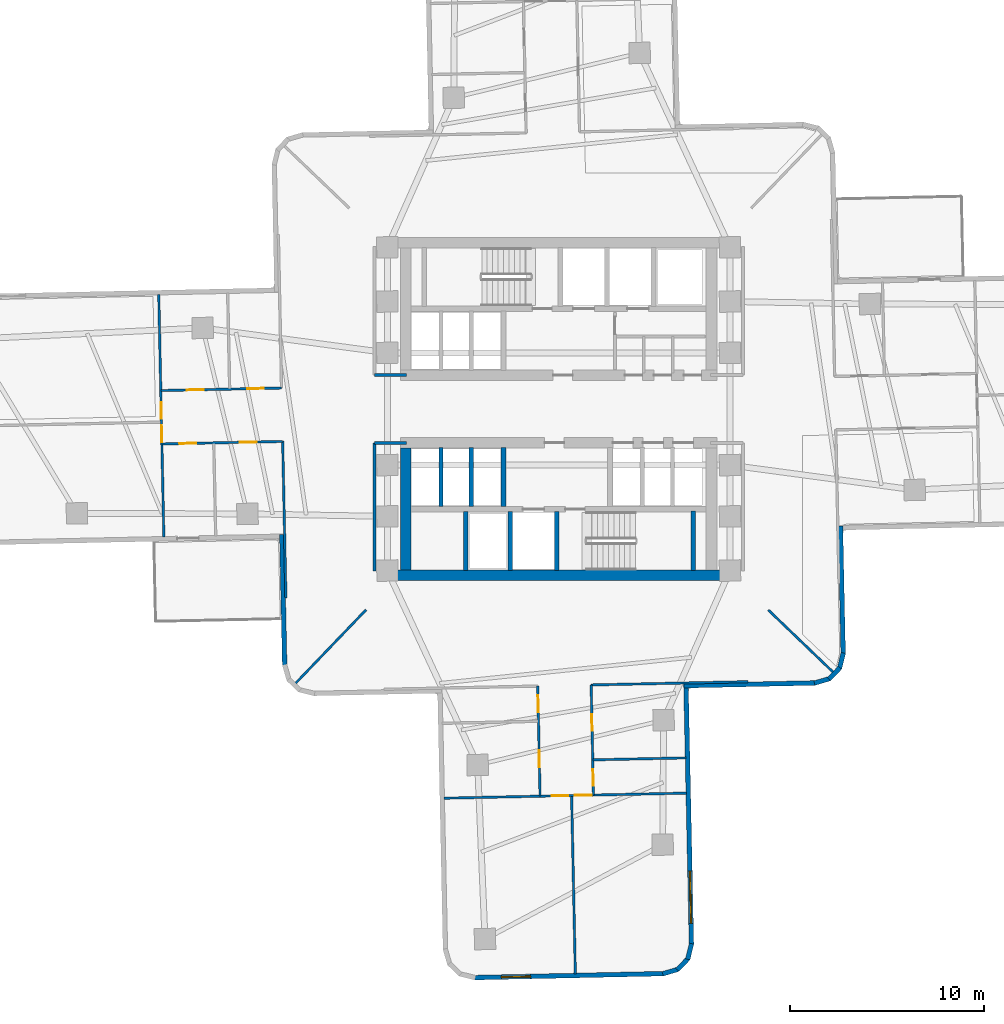
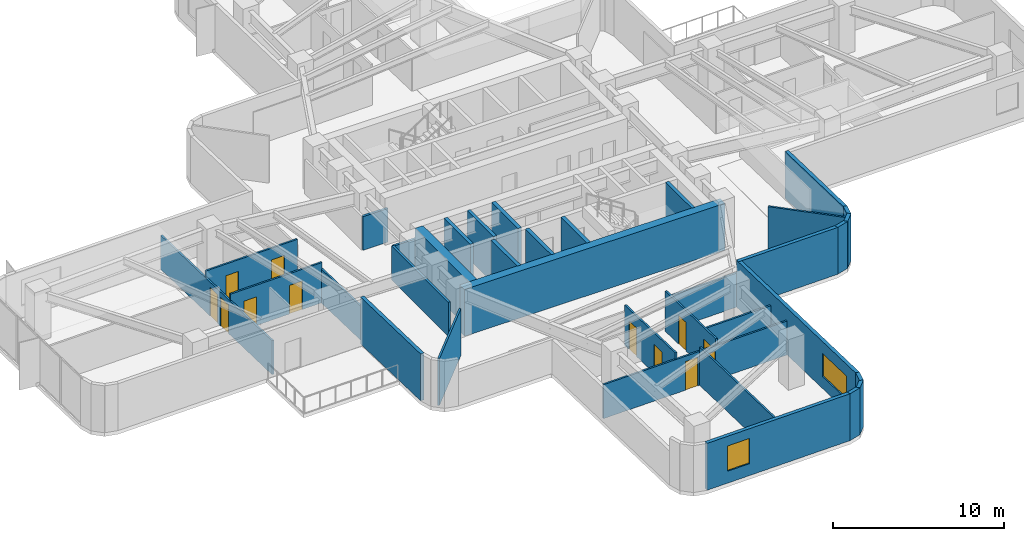
# One storey, part 8 of 15: 35 walls, 12 doors, 2 windows, 14 openings.
"""IFC4 building model written with IfcOpenShell, lengths in metres."""

from ifc_helpers import new_model, si_unit, direction, frame, frame_2d, origin, place, context, subcontext, project, spatial, rectangle, extrude, material, layer, layer_set, type_object, element, fill, save


model = new_model("IFC4")

# Units and contexts
model_context = context("Model", 3, precision=1e-05, world=origin(), true_north=direction((0.0, 1.0)))
body_context = subcontext(model_context, "Body", "Model", "MODEL_VIEW")
ifc_project = project(units=[si_unit("LENGTHUNIT", "METRE"), si_unit("AREAUNIT", "SQUARE_METRE"), si_unit("VOLUMEUNIT", "CUBIC_METRE"), si_unit("PLANEANGLEUNIT", "RADIAN"), si_unit("MASSUNIT", "GRAM", prefix="KILO")], contexts=[model_context])

# Site, building, storey
site_placement = place(None, origin())
site = spatial("IfcSite", under=ifc_project, at=site_placement, CompositionType="ELEMENT")
building_placement = place(site_placement, origin())
building = spatial("IfcBuilding", under=site, at=building_placement, Name="Solmarez Civic Tower", CompositionType="ELEMENT")
storey_placement = place(building_placement, frame((0.0, 0.0, 38.8798828125)))
storey = spatial("IfcBuildingStorey", under=building, at=storey_placement, Name="L09", CompositionType="ELEMENT", Elevation=38.8798828125)

# Walls
ifc_material_1 = material(Name="Concrete C60/75", Category="concrete")
ifc_layer_1 = layer(ifc_material_1, 0.550048828125)
ifc_layer_set_1 = layer_set([ifc_layer_1], Name="Concrete C60/75")
wall_type_1 = type_object("IfcWallType", Name="WALL-CORE-550", PredefinedType="SHEAR", material=ifc_layer_set_1)
wall_1_placement = place(storey_placement, frame((8.780029296875, -8.5849609375, 0.0), z_axis=(0.0, 0.0, 1.0), x_axis=(-1.0, 0.0, 0.0)))
element("IfcWall", 1, at=wall_1_placement, inside=storey, type_object=wall_type_1, Name="L09 Split-Core Structural Wall SCW-S-L09", PredefinedType="SHEAR", context=body_context, shape_type="SweptSolid", body=[
    extrude(rectangle(XDim=17.56005859375, YDim=0.550048828125, at=frame_2d((8.780029296875, 0.0))), origin(), (0.0, 0.0, 1.0), 3.340087890625),
])
wall_2_placement = place(storey_placement, frame((-7.89501953125, -8.31005859375, 0.0), z_axis=(0.0, 0.0, 1.0), x_axis=(0.0, 1.0, 0.0)))
element("IfcWall", 2, at=wall_2_placement, inside=storey, type_object=wall_type_1, Name="L09 Split-Core Structural Wall SCW-W-L09", PredefinedType="SHEAR", context=body_context, shape_type="SweptSolid", body=[
    extrude(rectangle(XDim=6.28515625, YDim=0.550048828125, at=frame_2d((3.142578125, 0.0))), origin(), (0.0, 0.0, 1.0), 3.340087890625),
])
ifc_material_2 = material(Name="Precast concrete C40/50", Category="concrete")
ifc_layer_2 = layer(ifc_material_2, 0.239990234375)
ifc_layer_set_2 = layer_set([ifc_layer_2], Name="Precast concrete C40/50")
wall_type_2 = type_object("IfcWallType", Name="WALL-EXT-240", PredefinedType="SOLIDWALL", material=ifc_layer_set_2)
wall_3_placement = place(storey_placement, frame((14.55908203125, -6.041015625, 0.0), z_axis=(0.0, 0.0, 1.0), x_axis=(0.021149327571, -0.999776327957, 0.0)))
element("IfcWall", 3, at=wall_3_placement, inside=storey, type_object=wall_type_2, Name="L09 Exterior Precast Wall 49", PredefinedType="SOLIDWALL", context=body_context, shape_type="SweptSolid", body=[
    extrude(rectangle(XDim=6.614501953125, YDim=0.239990234375, at=frame_2d((3.30712890625, 0.0))), origin(), (0.0, 0.0, 1.0), 3.340087890625),
])
wall_4_placement = place(storey_placement, frame((14.7041015625, -12.60498046875, 0.0), z_axis=(0.0, 0.0, 1.0), x_axis=(-0.238588013371, -0.971120878097, 0.0)))
element("IfcWall", 4, at=wall_4_placement, inside=storey, type_object=wall_type_2, Name="L09 Exterior Precast Wall 50", PredefinedType="SOLIDWALL", context=body_context, shape_type="SweptSolid", body=[
    extrude(rectangle(XDim=0.829833984375, YDim=0.239990234375, at=frame_2d((0.4150390625, 0.0))), origin(), (0.0, 0.0, 1.0), 3.340087890625),
])
wall_5_placement = place(storey_placement, frame((14.529052734375, -13.368896484375, 0.0), z_axis=(0.0, 0.0, 1.0), x_axis=(-0.692094379202, -0.721807017337, 0.0)))
element("IfcWall", 5, at=wall_5_placement, inside=storey, type_object=wall_type_2, Name="L09 Exterior Precast Wall 51", PredefinedType="SOLIDWALL", context=body_context, shape_type="SweptSolid", body=[
    extrude(rectangle(XDim=0.8134765625, YDim=0.239990234375, at=frame_2d((0.40673828125, 0.0))), origin(), (0.0, 0.0, 1.0), 3.340087890625),
])
wall_6_placement = place(storey_placement, frame((14.007080078125, -13.930908203125, 0.0), z_axis=(0.0, 0.0, 1.0), x_axis=(-0.960102033401, -0.279649933772, 0.0)))
element("IfcWall", 6, at=wall_6_placement, inside=storey, type_object=wall_type_2, Name="L09 Exterior Precast Wall 52", PredefinedType="SOLIDWALL", context=body_context, shape_type="SweptSolid", body=[
    extrude(rectangle(XDim=0.830322265625, YDim=0.239990234375, at=frame_2d((0.4150390625, 0.0))), origin(), (0.0, 0.0, 1.0), 3.340087890625),
])
wall_7_placement = place(storey_placement, frame((13.259033203125, -14.155029296875, 0.0), z_axis=(0.0, 0.0, 1.0), x_axis=(-0.999777124284, -0.021111649844, 0.0)))
element("IfcWall", 7, at=wall_7_placement, inside=storey, type_object=wall_type_2, Name="L09 Exterior Precast Wall 53", PredefinedType="SOLIDWALL", context=body_context, shape_type="SweptSolid", body=[
    extrude(rectangle(XDim=6.776611328125, YDim=0.239990234375, at=frame_2d((3.38818359375, 0.0))), origin(), (0.0, 0.0, 1.0), 3.340087890625),
])

# Wall, opening, window
wall_8_placement = place(storey_placement, frame((6.577880859375, -14.199951171875, 0.0), z_axis=(0.0, 0.0, 1.0), x_axis=(0.021016704444, -0.999779124674, 0.0)))
wall_8 = element("IfcWall", 8, at=wall_8_placement, inside=storey, type_object=wall_type_2, Name="L09 Exterior Precast Wall 56", PredefinedType="SOLIDWALL", context=body_context, shape_type="SweptSolid", body=[
    extrude(rectangle(XDim=13.47509765625, YDim=0.239990234375, at=frame_2d((6.737548828125, 0.0))), origin(), (0.0, 0.0, 1.0), 3.340087890625),
])
opening_1_placement = place(wall_8_placement, frame((9.675048828125, 0.0, 0.85009765625)))
opening_1 = element("IfcOpeningElement", 9, at=opening_1_placement, cuts=wall_8, Name="Opening W-09", PredefinedType="OPENING", context=body_context, shape_type="SweptSolid", body=[
    extrude(rectangle(XDim=2.699951171875, YDim=1.64990234375, at=frame_2d((1.35009765625, 0.824951171875))), frame((0.0, 0.1298828125, 0.0), z_axis=(0.0, -1.0, 0.0), x_axis=(1.0, 0.0, 0.0)), (0.0, 0.0, 1.0), 0.260009765625),
])
ifc_material_3 = material(Name="Solar Control Bronze-Tinted Insulating Glass", Category="glass")
window_type_1 = type_object("IfcWindowType", Name="WIN-2700X1650", PartitioningType="SINGLE_PANEL", PredefinedType="WINDOW", material=ifc_material_3)
window_1_placement = place(opening_1_placement, origin())
window_1 = element("IfcWindow", 10, at=window_1_placement, inside=storey, type_object=window_type_1, Name="L09 Exterior Facade Window 56", OverallHeight=1.64990234375, OverallWidth=2.699951171875, PartitioningType="SINGLE_PANEL", PredefinedType="WINDOW", context=body_context, shape_type="SweptSolid", body=[
    extrude(rectangle(XDim=2.699951171875, YDim=1.64990234375, at=frame_2d((1.35009765625, 0.824951171875))), frame((0.0, 0.030029296875, 0.0), z_axis=(0.0, -1.0, 0.0), x_axis=(1.0, 0.0, 0.0)), (0.0, 0.0, 1.0), 0.06005859375),
])
fill(opening_1, window_1)

# Walls
wall_9_placement = place(storey_placement, frame((6.865966796875, -27.623046875, 0.0), z_axis=(0.0, 0.0, 1.0), x_axis=(-0.238860968489, -0.971053776952, 0.0)))
element("IfcWall", 11, at=wall_9_placement, inside=storey, type_object=wall_type_2, Name="L09 Exterior Precast Wall 57", PredefinedType="SOLIDWALL", context=body_context, shape_type="SweptSolid", body=[
    extrude(rectangle(XDim=0.828857421875, YDim=0.239990234375, at=frame_2d((0.41455078125, 0.0))), origin(), (0.0, 0.0, 1.0), 3.340087890625),
])
wall_10_placement = place(storey_placement, frame((6.69091796875, -28.385986328125, 0.0), z_axis=(0.0, 0.0, 1.0), x_axis=(-0.690868229845, -0.722980697523, 0.0)))
element("IfcWall", 12, at=wall_10_placement, inside=storey, type_object=wall_type_2, Name="L09 Exterior Precast Wall 58", PredefinedType="SOLIDWALL", context=body_context, shape_type="SweptSolid", body=[
    extrude(rectangle(XDim=0.8134765625, YDim=0.239990234375, at=frame_2d((0.40673828125, 0.0))), origin(), (0.0, 0.0, 1.0), 3.340087890625),
])
wall_11_placement = place(storey_placement, frame((6.169921875, -28.948974609375, 0.0), z_axis=(0.0, 0.0, 1.0), x_axis=(-0.960564264415, -0.278058076541, 0.0)))
element("IfcWall", 13, at=wall_11_placement, inside=storey, type_object=wall_type_2, Name="L09 Exterior Precast Wall 59", PredefinedType="SOLIDWALL", context=body_context, shape_type="SweptSolid", body=[
    extrude(rectangle(XDim=0.83056640625, YDim=0.239990234375, at=frame_2d((0.415283203125, 0.0))), origin(), (0.0, 0.0, 1.0), 3.340087890625),
])

# Wall, opening, window
wall_12_placement = place(storey_placement, frame((5.4208984375, -29.172119140625, 0.0), z_axis=(0.0, 0.0, 1.0), x_axis=(-0.999778461458, -0.021048230433, 0.0)))
wall_12 = element("IfcWall", 14, at=wall_12_placement, inside=storey, type_object=wall_type_2, Name="L09 Exterior Precast Wall 60", PredefinedType="SOLIDWALL", context=body_context, shape_type="SweptSolid", body=[
    extrude(rectangle(XDim=9.778076171875, YDim=0.239990234375, at=frame_2d((4.88916015625, 0.0))), origin(), (0.0, 0.0, 1.0), 3.340087890625),
])
opening_2_placement = place(wall_12_placement, frame((6.876953125, 0.0, 0.85009765625)))
opening_2 = element("IfcOpeningElement", 15, at=opening_2_placement, cuts=wall_12, Name="Opening W-13", PredefinedType="OPENING", context=body_context, shape_type="SweptSolid", body=[
    extrude(rectangle(XDim=1.5, YDim=1.800048828125, at=frame_2d((0.75, 0.89990234375))), frame((0.0, 0.1298828125, 0.0), z_axis=(0.0, -1.0, 0.0), x_axis=(1.0, 0.0, 0.0)), (0.0, 0.0, 1.0), 0.260009765625),
])
window_type_2 = type_object("IfcWindowType", Name="WIN-1500X1800", PartitioningType="SINGLE_PANEL", PredefinedType="WINDOW", material=ifc_material_3)
window_2_placement = place(opening_2_placement, origin())
window_2 = element("IfcWindow", 16, at=window_2_placement, inside=storey, type_object=window_type_2, Name="L09 Exterior Facade Window 60", OverallHeight=1.800048828125, OverallWidth=1.5, PartitioningType="SINGLE_PANEL", PredefinedType="WINDOW", context=body_context, shape_type="SweptSolid", body=[
    extrude(rectangle(XDim=1.5, YDim=1.800048828125, at=frame_2d((0.75, 0.89990234375))), frame((0.0, 0.030029296875, 0.0), z_axis=(0.0, -1.0, 0.0), x_axis=(1.0, 0.0, 0.0)), (0.0, 0.0, 1.0), 0.06005859375),
])
fill(opening_2, window_2)

# Walls
wall_13_placement = place(storey_placement, frame((-14.155029296875, -13.259033203125, 0.0), z_axis=(0.0, 0.0, 1.0), x_axis=(-0.021111649844, 0.999777124284, 0.0)))
element("IfcWall", 17, at=wall_13_placement, inside=storey, type_object=wall_type_2, Name="L09 Exterior Precast Wall 71", PredefinedType="SOLIDWALL", context=body_context, shape_type="SweptSolid", body=[
    extrude(rectangle(XDim=6.776611328125, YDim=0.239990234375, at=frame_2d((3.38818359375, 0.0))), origin(), (0.0, 0.0, 1.0), 3.340087890625),
])
ifc_material_4 = material(Name="Gypsum Board Acoustic Steel-Stud Partition", Category="steel")
ifc_layer_3 = layer(ifc_material_4, 0.14990234375)
ifc_layer_set_3 = layer_set([ifc_layer_3], Name="Gypsum Board Acoustic Steel-Stud Partition")
wall_type_3 = type_object("IfcWallType", Name="WALL-INT-FIRE-150", PredefinedType="PARTITIONING", material=ifc_layer_set_3)
wall_14_placement = place(storey_placement, frame((-7.85009765625, 1.75, 0.0), z_axis=(0.0, 0.0, 1.0), x_axis=(-1.0, 0.0, 0.0)))
element("IfcWall", 18, at=wall_14_placement, inside=storey, type_object=wall_type_3, Name="L09 Interior Partition CHW-L09-WN3", PredefinedType="PARTITIONING", context=body_context, shape_type="SweptSolid", body=[
    extrude(rectangle(XDim=1.669921875, YDim=0.14990234375, at=frame_2d((0.8349609375, 0.0))), origin(), (0.0, 0.0, 1.0), 2.405029296875),
])
wall_15_placement = place(storey_placement, frame((-9.52001953125, -8.3798828125, 0.0), z_axis=(0.0, 0.0, 1.0), x_axis=(0.0, 1.0, 0.0)))
element("IfcWall", 19, at=wall_15_placement, inside=storey, type_object=wall_type_3, Name="L09 Interior Partition CHW-L09-WS1", PredefinedType="PARTITIONING", context=body_context, shape_type="SweptSolid", body=[
    extrude(rectangle(XDim=6.6298828125, YDim=0.14990234375, at=frame_2d((3.31494140625, 0.0))), origin(), (0.0, 0.0, 1.0), 2.421142578125),
])
wall_16_placement = place(storey_placement, frame((-7.85009765625, -1.75, 0.0), z_axis=(0.0, 0.0, 1.0), x_axis=(-1.0, 0.0, 0.0)))
element("IfcWall", 20, at=wall_16_placement, inside=storey, type_object=wall_type_3, Name="L09 Interior Partition CHW-L09-WS3", PredefinedType="PARTITIONING", context=body_context, shape_type="SweptSolid", body=[
    extrude(rectangle(XDim=1.669921875, YDim=0.14990234375, at=frame_2d((0.8349609375, 0.0))), origin(), (0.0, 0.0, 1.0), 2.405029296875),
])
ifc_layer_4 = layer(ifc_material_4, 0.1201171875)
ifc_layer_set_4 = layer_set([ifc_layer_4], Name="Gypsum Board Acoustic Steel-Stud Partition")
wall_type_4 = type_object("IfcWallType", Name="WALL-INT-PART-120", PredefinedType="PARTITIONING", material=ifc_layer_set_4)
wall_17_placement = place(storey_placement, frame((-9.9541015625, -10.3798828125, 0.0), z_axis=(0.0, 0.0, 1.0), x_axis=(-0.692136602063, -0.721766530178, 0.0)))
element("IfcWall", 21, at=wall_17_placement, inside=storey, type_object=wall_type_4, Name="L09 Interior Partition PT-L09-QDIV-3", PredefinedType="PARTITIONING", context=body_context, shape_type="SweptSolid", body=[
    extrude(rectangle(XDim=5.2734375, YDim=0.1201171875, at=frame_2d((2.63671875, 0.0))), origin(), (0.0, 0.0, 1.0), 3.340087890625),
])
wall_18_placement = place(storey_placement, frame((10.823974609375, -10.3798828125, 0.0), z_axis=(0.0, 0.0, 1.0), x_axis=(0.721757981693, -0.692145516392, 0.0)))
element("IfcWall", 22, at=wall_18_placement, inside=storey, type_object=wall_type_4, Name="L09 Interior Partition PT-L09-QDIV-4", PredefinedType="PARTITIONING", context=body_context, shape_type="SweptSolid", body=[
    extrude(rectangle(XDim=4.658203125, YDim=0.1201171875, at=frame_2d((2.3291015625, 0.0))), origin(), (0.0, 0.0, 1.0), 3.340087890625),
])
wall_19_placement = place(storey_placement, frame((-14.258056640625, -1.6689453125, 0.0), z_axis=(0.0, 0.0, 1.0), x_axis=(0.020831948152, -0.999782991422, 0.0)))
element("IfcWall", 23, at=wall_19_placement, inside=storey, type_object=wall_type_4, Name="L09 Interior Partition PT-L09-W-EFL", PredefinedType="PARTITIONING", context=body_context, shape_type="SweptSolid", body=[
    extrude(rectangle(XDim=8.10986328125, YDim=0.1201171875, at=frame_2d((4.054931640625, 0.0))), origin(), (0.0, 0.0, 1.0), 2.421142578125),
])

# Wall, openings, doors
wall_20_placement = place(storey_placement, frame((-20.4970703125, -1.81005859375, 0.0), z_axis=(0.0, 0.0, 1.0), x_axis=(0.999779289494, 0.021008862393, 0.0)))
wall_20 = element("IfcWall", 24, at=wall_20_placement, inside=storey, type_object=wall_type_4, Name="L09 Interior Partition PT-L09-W-SL", PredefinedType="PARTITIONING", context=body_context, shape_type="SweptSolid", body=[
    extrude(rectangle(XDim=6.240478515625, YDim=0.1201171875, at=frame_2d((3.1201171875, 0.0))), origin(), (0.0, 0.0, 1.0), 2.869140625),
])
opening_3_placement = place(wall_20_placement, frame((4.030029296875, 0.0, 0.0)))
opening_3 = element("IfcOpeningElement", 25, at=opening_3_placement, cuts=wall_20, Name="Opening D-14", PredefinedType="OPENING", context=body_context, shape_type="SweptSolid", body=[
    extrude(rectangle(XDim=0.860107421875, YDim=2.0400390625, at=frame_2d((0.43017578125, 1.02001953125))), frame((0.0, 0.070068359375, 0.0), z_axis=(0.0, -1.0, 0.0), x_axis=(1.0, 0.0, 0.0)), (0.0, 0.0, 1.0), 0.14013671875),
])
opening_4_placement = place(wall_20_placement, frame((0.909912109375, 0.0, 0.0)))
opening_4 = element("IfcOpeningElement", 26, at=opening_4_placement, cuts=wall_20, Name="Opening D-14", PredefinedType="OPENING", context=body_context, shape_type="SweptSolid", body=[
    extrude(rectangle(XDim=0.860107421875, YDim=2.0400390625, at=frame_2d((0.43017578125, 1.02001953125))), frame((0.0, 0.070068359375, 0.0), z_axis=(0.0, -1.0, 0.0), x_axis=(1.0, 0.0, 0.0)), (0.0, 0.0, 1.0), 0.14013671875),
])
ifc_material_5 = material(Name="Timber Storage and Pantry Door", Category="wood")
door_type = type_object("IfcDoorType", Name="DOOR-INT-850", OperationType="NOTDEFINED", PredefinedType="DOOR", material=ifc_material_5)
door_1_placement = place(opening_3_placement, origin())
door_1 = element("IfcDoor", 27, at=door_1_placement, inside=storey, type_object=door_type, Name="L09 Delegates Sitting Lounge First West Door", OperationType="SINGLE_SWING_LEFT", OverallHeight=2.0400390625, OverallWidth=0.860107421875, PredefinedType="DOOR", context=body_context, shape_type="SweptSolid", body=[
    extrude(rectangle(XDim=0.860107421875, YDim=2.0400390625, at=frame_2d((0.43017578125, 1.02001953125))), frame((0.0, 0.02490234375, 0.0), z_axis=(0.0, -1.0, 0.0), x_axis=(1.0, 0.0, 0.0)), (0.0, 0.0, 1.0), 0.050048828125),
])
fill(opening_3, door_1)
door_2_placement = place(opening_4_placement, origin())
door_2 = element("IfcDoor", 28, at=door_2_placement, inside=storey, type_object=door_type, Name="L09 Public Reception Room Second West Door", OperationType="SINGLE_SWING_RIGHT", OverallHeight=2.0400390625, OverallWidth=0.860107421875, PredefinedType="DOOR", context=body_context, shape_type="SweptSolid", body=[
    extrude(rectangle(XDim=0.860107421875, YDim=2.0400390625, at=frame_2d((0.43017578125, 1.02001953125))), frame((0.0, 0.02490234375, 0.0), z_axis=(0.0, -1.0, 0.0), x_axis=(1.0, 0.0, 0.0)), (0.0, 0.0, 1.0), 0.050048828125),
])
fill(opening_4, door_2)

wall_21_placement = place(storey_placement, frame((-14.31591796875, 1.080078125, 0.0), z_axis=(0.0, 0.0, 1.0), x_axis=(-0.99978249617, -0.020855703122, 0.0)))
wall_21 = element("IfcWall", 29, at=wall_21_placement, inside=storey, type_object=wall_type_4, Name="L09 Interior Partition PT-L09-W-SR", PredefinedType="PARTITIONING", context=body_context, shape_type="SweptSolid", body=[
    extrude(rectangle(XDim=6.239501953125, YDim=0.1201171875, at=frame_2d((3.11962890625, 0.0))), origin(), (0.0, 0.0, 1.0), 2.869140625),
])
opening_5_placement = place(wall_21_placement, frame((0.909912109375, 0.0, 0.0)))
opening_5 = element("IfcOpeningElement", 30, at=opening_5_placement, cuts=wall_21, Name="Opening D-14", PredefinedType="OPENING", context=body_context, shape_type="SweptSolid", body=[
    extrude(rectangle(XDim=0.860107421875, YDim=2.0400390625, at=frame_2d((0.43017578125, 1.02001953125))), frame((0.0, 0.070068359375, 0.0), z_axis=(0.0, -1.0, 0.0), x_axis=(1.0, 0.0, 0.0)), (0.0, 0.0, 1.0), 0.14013671875),
])
opening_6_placement = place(wall_21_placement, frame((4.030029296875, 0.0, 0.0)))
opening_6 = element("IfcOpeningElement", 31, at=opening_6_placement, cuts=wall_21, Name="Opening D-14", PredefinedType="OPENING", context=body_context, shape_type="SweptSolid", body=[
    extrude(rectangle(XDim=0.860107421875, YDim=2.0400390625, at=frame_2d((0.43017578125, 1.02001953125))), frame((0.0, 0.070068359375, 0.0), z_axis=(0.0, -1.0, 0.0), x_axis=(1.0, 0.0, 0.0)), (0.0, 0.0, 1.0), 0.14013671875),
])
door_3_placement = place(opening_5_placement, origin())
door_3 = element("IfcDoor", 32, at=door_3_placement, inside=storey, type_object=door_type, Name="L09 Legislative Seminar Room Third West Door", OperationType="SINGLE_SWING_RIGHT", OverallHeight=2.0400390625, OverallWidth=0.860107421875, PredefinedType="DOOR", context=body_context, shape_type="SweptSolid", body=[
    extrude(rectangle(XDim=0.860107421875, YDim=2.0400390625, at=frame_2d((0.43017578125, 1.02001953125))), frame((0.0, 0.02490234375, 0.0), z_axis=(0.0, -1.0, 0.0), x_axis=(1.0, 0.0, 0.0)), (0.0, 0.0, 1.0), 0.050048828125),
])
fill(opening_5, door_3)
door_4_placement = place(opening_6_placement, origin())
door_4 = element("IfcDoor", 33, at=door_4_placement, inside=storey, type_object=door_type, Name="L09 Civic Training Classroom Fourth West Door", OperationType="SINGLE_SWING_LEFT", OverallHeight=2.0400390625, OverallWidth=0.860107421875, PredefinedType="DOOR", context=body_context, shape_type="SweptSolid", body=[
    extrude(rectangle(XDim=0.860107421875, YDim=2.0400390625, at=frame_2d((0.43017578125, 1.02001953125))), frame((0.0, 0.02490234375, 0.0), z_axis=(0.0, -1.0, 0.0), x_axis=(1.0, 0.0, 0.0)), (0.0, 0.0, 1.0), 0.050048828125),
])
fill(opening_6, door_4)

wall_22_placement = place(storey_placement, frame((-20.39599609375, -6.6240234375, 0.0), z_axis=(0.0, 0.0, 1.0), x_axis=(-0.020949931448, 0.999780526102, 0.0)))
wall_22 = element("IfcWall", 34, at=wall_22_placement, inside=storey, type_object=wall_type_4, Name="L09 Interior Partition PT-L09-W-END", PredefinedType="PARTITIONING", context=body_context, shape_type="SweptSolid", body=[
    extrude(rectangle(XDim=12.55078125, YDim=0.1201171875, at=frame_2d((6.275390625, 0.0))), origin(), (0.0, 0.0, 1.0), 2.421142578125),
])
opening_7_placement = place(wall_22_placement, frame((6.114990234375, 0.0, 0.0)))
opening_7 = element("IfcOpeningElement", 35, at=opening_7_placement, cuts=wall_22, Name="Opening D-14", PredefinedType="OPENING", context=body_context, shape_type="SweptSolid", body=[
    extrude(rectangle(XDim=0.860107421875, YDim=2.0400390625, at=frame_2d((0.43017578125, 1.02001953125))), frame((0.0, 0.070068359375, 0.0), z_axis=(0.0, -1.0, 0.0), x_axis=(1.0, 0.0, 0.0)), (0.0, 0.0, 1.0), 0.14013671875),
])
opening_8_placement = place(wall_22_placement, frame((4.9150390625, 0.0, 0.0)))
opening_8 = element("IfcOpeningElement", 36, at=opening_8_placement, cuts=wall_22, Name="Opening D-14", PredefinedType="OPENING", context=body_context, shape_type="SweptSolid", body=[
    extrude(rectangle(XDim=0.860107421875, YDim=2.0400390625, at=frame_2d((0.43017578125, 1.02001953125))), frame((0.0, 0.070068359375, 0.0), z_axis=(0.0, -1.0, 0.0), x_axis=(1.0, 0.0, 0.0)), (0.0, 0.0, 1.0), 0.14013671875),
])
door_5_placement = place(opening_7_placement, origin())
door_5 = element("IfcDoor", 37, at=door_5_placement, inside=storey, type_object=door_type, Name="L09 Civic Training Classroom Sixth West Door", OperationType="SINGLE_SWING_RIGHT", OverallHeight=2.0400390625, OverallWidth=0.860107421875, PredefinedType="DOOR", context=body_context, shape_type="SweptSolid", body=[
    extrude(rectangle(XDim=0.860107421875, YDim=2.0400390625, at=frame_2d((0.43017578125, 1.02001953125))), frame((0.0, 0.02490234375, 0.0), z_axis=(0.0, -1.0, 0.0), x_axis=(1.0, 0.0, 0.0)), (0.0, 0.0, 1.0), 0.050048828125),
])
fill(opening_7, door_5)
door_6_placement = place(opening_8_placement, origin())
door_6 = element("IfcDoor", 38, at=door_6_placement, inside=storey, type_object=door_type, Name="L09 Legislative Seminar Room Fifth West Door", OperationType="SINGLE_SWING_LEFT", OverallHeight=2.0400390625, OverallWidth=0.860107421875, PredefinedType="DOOR", context=body_context, shape_type="SweptSolid", body=[
    extrude(rectangle(XDim=0.860107421875, YDim=2.0400390625, at=frame_2d((0.43017578125, 1.02001953125))), frame((0.0, 0.02490234375, 0.0), z_axis=(0.0, -1.0, 0.0), x_axis=(1.0, 0.0, 0.0)), (0.0, 0.0, 1.0), 0.050048828125),
])
fill(opening_8, door_6)

# Walls
wall_23_placement = place(storey_placement, frame((1.6689453125, -14.258056640625, 0.0), z_axis=(0.0, 0.0, 1.0), x_axis=(0.999782991422, 0.020831948152, 0.0)))
element("IfcWall", 39, at=wall_23_placement, inside=storey, type_object=wall_type_4, Name="L09 Interior Partition PT-L09-S-EFL", PredefinedType="PARTITIONING", context=body_context, shape_type="SweptSolid", body=[
    extrude(rectangle(XDim=8.10986328125, YDim=0.1201171875, at=frame_2d((4.054931640625, 0.0))), origin(), (0.0, 0.0, 1.0), 2.421142578125),
])
wall_24_placement = place(storey_placement, frame((1.780029296875, -18.126953125, 0.0), z_axis=(0.0, 0.0, 1.0), x_axis=(0.999777812369, 0.02107903923, 0.0)))
element("IfcWall", 40, at=wall_24_placement, inside=storey, type_object=wall_type_4, Name="L09 Interior Partition PT-L09-S-LM", PredefinedType="PARTITIONING", context=body_context, shape_type="SweptSolid", body=[
    extrude(rectangle(XDim=4.794921875, YDim=0.1201171875, at=frame_2d((2.3974609375, 0.0))), origin(), (0.0, 0.0, 1.0), 2.421142578125),
])

# Wall, openings, doors
wall_25_placement = place(storey_placement, frame((1.798095703125, -19.947021484375, 0.0), z_axis=(0.0, 0.0, 1.0), x_axis=(-0.02093781738, 0.999780779873, 0.0)))
wall_25 = element("IfcWall", 41, at=wall_25_placement, inside=storey, type_object=wall_type_4, Name="L09 Interior Partition PT-L09-S-SL", PredefinedType="PARTITIONING", context=body_context, shape_type="SweptSolid", body=[
    extrude(rectangle(XDim=5.690185546875, YDim=0.1201171875, at=frame_2d((2.84521484375, 0.0))), origin(), (0.0, 0.0, 1.0), 2.869140625),
])
opening_9_placement = place(wall_25_placement, frame((3.324951171875, 0.0, 0.0)))
opening_9 = element("IfcOpeningElement", 42, at=opening_9_placement, cuts=wall_25, Name="Opening D-14", PredefinedType="OPENING", context=body_context, shape_type="SweptSolid", body=[
    extrude(rectangle(XDim=0.860107421875, YDim=2.0400390625, at=frame_2d((0.43017578125, 1.02001953125))), frame((0.0, 0.070068359375, 0.0), z_axis=(0.0, -1.0, 0.0), x_axis=(1.0, 0.0, 0.0)), (0.0, 0.0, 1.0), 0.14013671875),
])
opening_10_placement = place(wall_25_placement, frame((0.47998046875, 0.0, 0.0)))
opening_10 = element("IfcOpeningElement", 43, at=opening_10_placement, cuts=wall_25, Name="Opening D-14", PredefinedType="OPENING", context=body_context, shape_type="SweptSolid", body=[
    extrude(rectangle(XDim=0.860107421875, YDim=2.0400390625, at=frame_2d((0.43017578125, 1.02001953125))), frame((0.0, 0.070068359375, 0.0), z_axis=(0.0, -1.0, 0.0), x_axis=(1.0, 0.0, 0.0)), (0.0, 0.0, 1.0), 0.14013671875),
])
door_7_placement = place(opening_9_placement, origin())
door_7 = element("IfcDoor", 44, at=door_7_placement, inside=storey, type_object=door_type, Name="L09 Public Reception Room First South Door", OperationType="SINGLE_SWING_LEFT", OverallHeight=2.0400390625, OverallWidth=0.860107421875, PredefinedType="DOOR", context=body_context, shape_type="SweptSolid", body=[
    extrude(rectangle(XDim=0.860107421875, YDim=2.0400390625, at=frame_2d((0.43017578125, 1.02001953125))), frame((0.0, 0.02490234375, 0.0), z_axis=(0.0, -1.0, 0.0), x_axis=(1.0, 0.0, 0.0)), (0.0, 0.0, 1.0), 0.050048828125),
])
fill(opening_9, door_7)
door_8_placement = place(opening_10_placement, origin())
door_8 = element("IfcDoor", 45, at=door_8_placement, inside=storey, type_object=door_type, Name="L09 Legislative Seminar Room Second South Door", OperationType="SINGLE_SWING_RIGHT", OverallHeight=2.0400390625, OverallWidth=0.860107421875, PredefinedType="DOOR", context=body_context, shape_type="SweptSolid", body=[
    extrude(rectangle(XDim=0.860107421875, YDim=2.0400390625, at=frame_2d((0.43017578125, 1.02001953125))), frame((0.0, 0.02490234375, 0.0), z_axis=(0.0, -1.0, 0.0), x_axis=(1.0, 0.0, 0.0)), (0.0, 0.0, 1.0), 0.050048828125),
])
fill(opening_10, door_8)

wall_26_placement = place(storey_placement, frame((-1.080078125, -14.31591796875, 0.0), z_axis=(0.0, 0.0, 1.0), x_axis=(0.02093781738, -0.999780779873, 0.0)))
wall_26 = element("IfcWall", 46, at=wall_26_placement, inside=storey, type_object=wall_type_4, Name="L09 Interior Partition PT-L09-S-SR", PredefinedType="PARTITIONING", context=body_context, shape_type="SweptSolid", body=[
    extrude(rectangle(XDim=5.690185546875, YDim=0.1201171875, at=frame_2d((2.84521484375, 0.0))), origin(), (0.0, 0.0, 1.0), 2.869140625),
])
opening_11_placement = place(wall_26_placement, frame((0.47998046875, 0.0, 0.0)))
opening_11 = element("IfcOpeningElement", 47, at=opening_11_placement, cuts=wall_26, Name="Opening D-14", PredefinedType="OPENING", context=body_context, shape_type="SweptSolid", body=[
    extrude(rectangle(XDim=0.860107421875, YDim=2.0400390625, at=frame_2d((0.43017578125, 1.02001953125))), frame((0.0, 0.070068359375, 0.0), z_axis=(0.0, -1.0, 0.0), x_axis=(1.0, 0.0, 0.0)), (0.0, 0.0, 1.0), 0.14013671875),
])
opening_12_placement = place(wall_26_placement, frame((3.324951171875, 0.0, 0.0)))
opening_12 = element("IfcOpeningElement", 48, at=opening_12_placement, cuts=wall_26, Name="Opening D-14", PredefinedType="OPENING", context=body_context, shape_type="SweptSolid", body=[
    extrude(rectangle(XDim=0.860107421875, YDim=2.0400390625, at=frame_2d((0.43017578125, 1.02001953125))), frame((0.0, 0.070068359375, 0.0), z_axis=(0.0, -1.0, 0.0), x_axis=(1.0, 0.0, 0.0)), (0.0, 0.0, 1.0), 0.14013671875),
])
door_9_placement = place(opening_11_placement, origin())
door_9 = element("IfcDoor", 49, at=door_9_placement, inside=storey, type_object=door_type, Name="L09 Civic Training Classroom Third South Door", OperationType="SINGLE_SWING_RIGHT", OverallHeight=2.0400390625, OverallWidth=0.860107421875, PredefinedType="DOOR", context=body_context, shape_type="SweptSolid", body=[
    extrude(rectangle(XDim=0.860107421875, YDim=2.0400390625, at=frame_2d((0.43017578125, 1.02001953125))), frame((0.0, 0.02490234375, 0.0), z_axis=(0.0, -1.0, 0.0), x_axis=(1.0, 0.0, 0.0)), (0.0, 0.0, 1.0), 0.050048828125),
])
fill(opening_11, door_9)
door_10_placement = place(opening_12_placement, origin())
door_10 = element("IfcDoor", 50, at=door_10_placement, inside=storey, type_object=door_type, Name="L09 Delegates Sitting Lounge Fourth South Door", OperationType="SINGLE_SWING_LEFT", OverallHeight=2.0400390625, OverallWidth=0.860107421875, PredefinedType="DOOR", context=body_context, shape_type="SweptSolid", body=[
    extrude(rectangle(XDim=0.860107421875, YDim=2.0400390625, at=frame_2d((0.43017578125, 1.02001953125))), frame((0.0, 0.02490234375, 0.0), z_axis=(0.0, -1.0, 0.0), x_axis=(1.0, 0.0, 0.0)), (0.0, 0.0, 1.0), 0.050048828125),
])
fill(opening_12, door_10)

# Wall
wall_27_placement = place(storey_placement, frame((0.669921875, -20.030029296875, 0.0), z_axis=(0.0, 0.0, 1.0), x_axis=(0.020880459041, -0.999781979449, 0.0)))
element("IfcWall", 51, at=wall_27_placement, inside=storey, type_object=wall_type_4, Name="L09 Interior Partition PT-L09-S-TM", PredefinedType="PARTITIONING", context=body_context, shape_type="SweptSolid", body=[
    extrude(rectangle(XDim=9.155029296875, YDim=0.1201171875, at=frame_2d((4.57763671875, 0.0))), origin(), (0.0, 0.0, 1.0), 2.72021484375),
])

# Wall, openings, doors
wall_28_placement = place(storey_placement, frame((6.612060546875, -19.845947265625, 0.0), z_axis=(0.0, 0.0, 1.0), x_axis=(-0.999780491948, -0.020951561299, 0.0)))
wall_28 = element("IfcWall", 52, at=wall_28_placement, inside=storey, type_object=wall_type_4, Name="L09 Interior Partition PT-L09-S-END", PredefinedType="PARTITIONING", context=body_context, shape_type="SweptSolid", body=[
    extrude(rectangle(XDim=12.5498046875, YDim=0.1201171875, at=frame_2d((6.27490234375, 0.0))), origin(), (0.0, 0.0, 1.0), 2.421142578125),
])
opening_13_placement = place(wall_28_placement, frame((6.114990234375, 0.0, 0.0)))
opening_13 = element("IfcOpeningElement", 53, at=opening_13_placement, cuts=wall_28, Name="Opening D-14", PredefinedType="OPENING", context=body_context, shape_type="SweptSolid", body=[
    extrude(rectangle(XDim=0.860107421875, YDim=2.0400390625, at=frame_2d((0.43017578125, 1.02001953125))), frame((0.0, 0.070068359375, 0.0), z_axis=(0.0, -1.0, 0.0), x_axis=(1.0, 0.0, 0.0)), (0.0, 0.0, 1.0), 0.14013671875),
])
opening_14_placement = place(wall_28_placement, frame((4.9150390625, 0.0, 0.0)))
opening_14 = element("IfcOpeningElement", 54, at=opening_14_placement, cuts=wall_28, Name="Opening D-14", PredefinedType="OPENING", context=body_context, shape_type="SweptSolid", body=[
    extrude(rectangle(XDim=0.860107421875, YDim=2.0400390625, at=frame_2d((0.43017578125, 1.02001953125))), frame((0.0, 0.070068359375, 0.0), z_axis=(0.0, -1.0, 0.0), x_axis=(1.0, 0.0, 0.0)), (0.0, 0.0, 1.0), 0.14013671875),
])
door_11_placement = place(opening_13_placement, origin())
door_11 = element("IfcDoor", 55, at=door_11_placement, inside=storey, type_object=door_type, Name="L09 Delegates Sitting Lounge Sixth South Door", OperationType="SINGLE_SWING_RIGHT", OverallHeight=2.0400390625, OverallWidth=0.860107421875, PredefinedType="DOOR", context=body_context, shape_type="SweptSolid", body=[
    extrude(rectangle(XDim=0.860107421875, YDim=2.0400390625, at=frame_2d((0.43017578125, 1.02001953125))), frame((0.0, 0.02490234375, 0.0), z_axis=(0.0, -1.0, 0.0), x_axis=(1.0, 0.0, 0.0)), (0.0, 0.0, 1.0), 0.050048828125),
])
fill(opening_13, door_11)
door_12_placement = place(opening_14_placement, origin())
door_12 = element("IfcDoor", 56, at=door_12_placement, inside=storey, type_object=door_type, Name="L09 Civic Training Classroom Fifth South Door", OperationType="SINGLE_SWING_LEFT", OverallHeight=2.0400390625, OverallWidth=0.860107421875, PredefinedType="DOOR", context=body_context, shape_type="SweptSolid", body=[
    extrude(rectangle(XDim=0.860107421875, YDim=2.0400390625, at=frame_2d((0.43017578125, 1.02001953125))), frame((0.0, 0.02490234375, 0.0), z_axis=(0.0, -1.0, 0.0), x_axis=(1.0, 0.0, 0.0)), (0.0, 0.0, 1.0), 0.050048828125),
])
fill(opening_14, door_12)

# Walls
ifc_material_6 = material(Name="Concrete C50/60", Category="concrete")
ifc_layer_5 = layer(ifc_material_6, 0.300048828125)
ifc_layer_set_5 = layer_set([ifc_layer_5], Name="Concrete C50/60")
wall_type_5 = type_object("IfcWallType", Name="WALL-STR-300", PredefinedType="SOLIDWALL", material=ifc_layer_set_5)
wall_29_placement = place(storey_placement, frame((6.949951171875, -8.340087890625, 0.0), z_axis=(0.0, 0.0, 1.0), x_axis=(0.0, 1.0, 0.0)))
element("IfcWall", 57, at=wall_29_placement, inside=storey, type_object=wall_type_5, Name="L09 Split-Core Structural Wall SHW-SE-L09", PredefinedType="SOLIDWALL", context=body_context, shape_type="SweptSolid", body=[
    extrude(rectangle(XDim=3.06005859375, YDim=0.219970703125, at=frame_2d((1.530029296875, 0.0))), origin(), (0.0, 0.0, 1.0), 3.340087890625),
])
for number, where, z_axis, x_axis, name in (
    (58, (-0.10009765625, -8.340087890625, 0.0), (0.0, 0.0, 1.0), (0.0, 1.0, 0.0), "L09 Split-Core Structural Wall SHW-S1-L09"),
    (59, (-2.5, -8.340087890625, 0.0), (0.0, 0.0, 1.0), (0.0, 1.0, 0.0), "L09 Split-Core Structural Wall SHW-S2-L09"),
    (60, (-4.800048828125, -8.340087890625, 0.0), (0.0, 0.0, 1.0), (0.0, 1.0, 0.0), "L09 Split-Core Structural Wall SHW-S3-L09"),
):
    element("IfcWall", number, at=place(storey_placement, frame(where, z_axis=z_axis, x_axis=x_axis)), inside=storey, type_object=wall_type_5, Name=name, PredefinedType="SOLIDWALL", context=body_context, shape_type="SweptSolid", body=[
        extrude(rectangle(XDim=3.0400390625, YDim=0.25, at=frame_2d((1.52001953125, 0.0))), origin(), (0.0, 0.0, 1.0), 3.340087890625),
    ])
wall_30_placement = place(storey_placement, frame((-2.85009765625, -5.050048828125, 0.0), z_axis=(0.0, 0.0, 1.0), x_axis=(0.0, 1.0, 0.0)))
element("IfcWall", 61, at=wall_30_placement, inside=storey, type_object=wall_type_5, Name="L09 Split-Core Structural Wall SHW-SL1-L09", PredefinedType="SOLIDWALL", context=body_context, shape_type="SweptSolid", body=[
    extrude(rectangle(XDim=3.070068359375, YDim=0.25, at=frame_2d((1.53515625, 0.0))), origin(), (0.0, 0.0, 1.0), 3.340087890625),
])
for number, where, z_axis, x_axis, name in (
    (62, (-6.080078125, -5.050048828125, 0.0), (0.0, 0.0, 1.0), (0.0, 1.0, 0.0), "L09 Split-Core Structural Wall SHW-PLM-L09-1"),
    (63, (-4.52001953125, -5.050048828125, 0.0), (0.0, 0.0, 1.0), (0.0, 1.0, 0.0), "L09 Split-Core Structural Wall SHW-PLM-L09-2"),
):
    element("IfcWall", number, at=place(storey_placement, frame(where, z_axis=z_axis, x_axis=x_axis)), inside=storey, type_object=wall_type_5, Name=name, PredefinedType="SOLIDWALL", context=body_context, shape_type="SweptSolid", body=[
        extrude(rectangle(XDim=3.070068359375, YDim=0.219970703125, at=frame_2d((1.53515625, 0.0))), origin(), (0.0, 0.0, 1.0), 3.340087890625),
    ])

save(model, "model.ifc")
